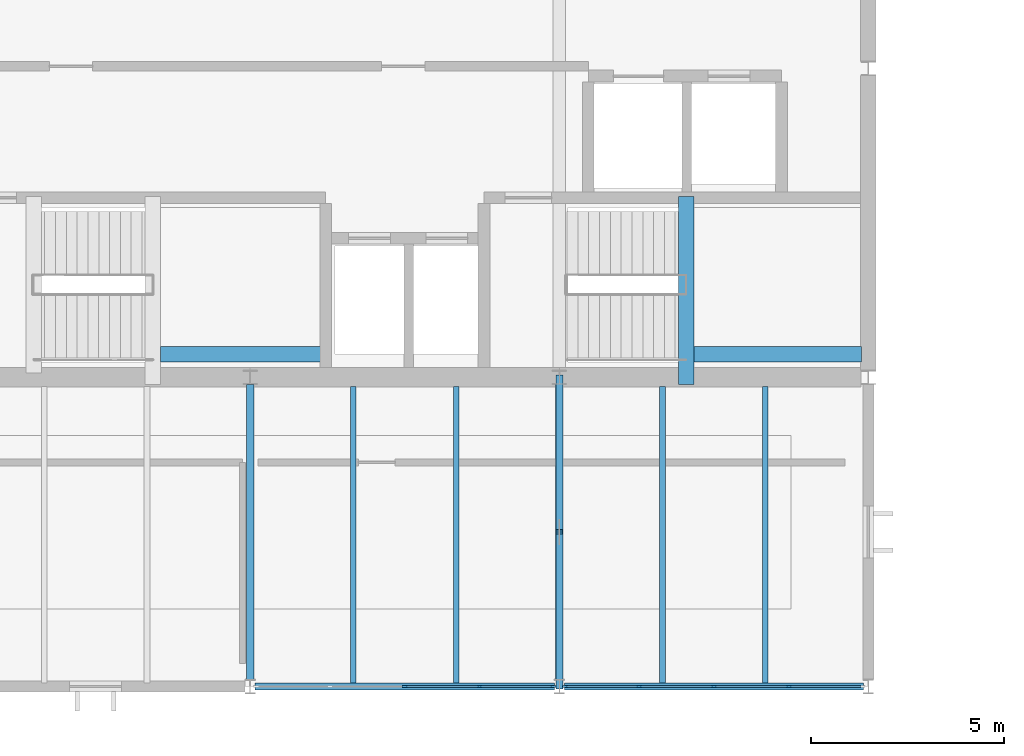
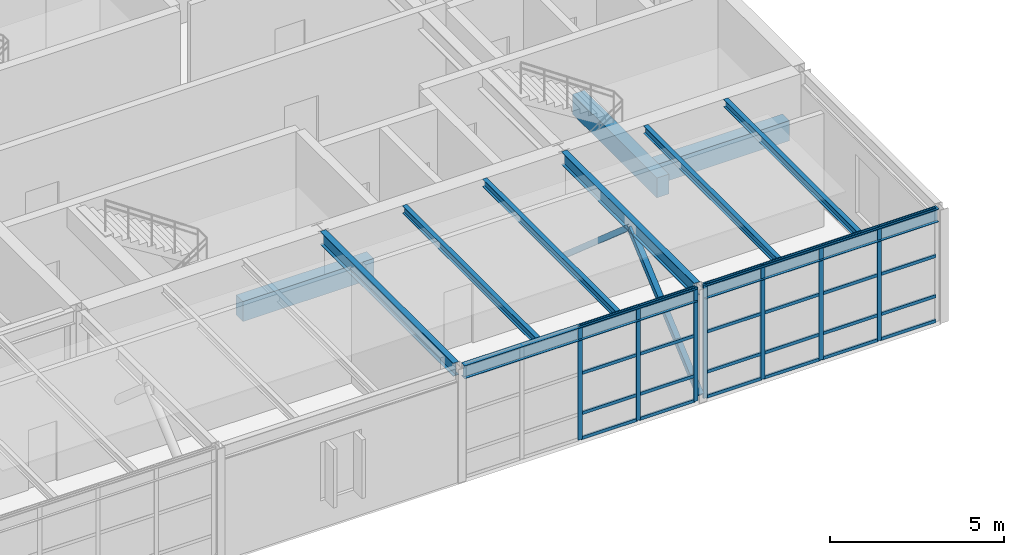
# One storey, part 4 of 20: 33 members, 11 beams, 2 elements without a shape of their own.
"""IFC4 building model written with IfcOpenShell, lengths in metres."""

import ifcopenshell
import ifcopenshell.guid

model = None  # the IFC model being written
_history = None  # IfcOwnerHistory: only IFC2X3 demands one
_inside = {}  # id of a spatial element -> (the spatial element, [elements in it])
_under = {}  # id of a project, library or spatial element -> (it, [spatial elements below it])
_declared = {}  # id of a project -> (the project, [libraries it declares])
_typed = {}  # id of a type object -> (the type object, [elements of that type])
_made_of = {}  # id of a material, layer set ... -> (it, [elements and type objects made of it])


def new_model(schema):
    """Start an empty IFC model of exactly this schema.

    Asked for "IFC4X3", IfcOpenShell would pick the latest addendum, in which some entities
    have other attributes; the version numbers below select the first issue.
    IFC2X3 requires an IfcOwnerHistory on every rooted entity: one is made here for all.
    """
    global model, _history
    if schema == "IFC4X3":
        model = ifcopenshell.file(schema_version=(4, 3, 0, 0))
    else:
        model = ifcopenshell.file(schema=schema)
    _inside.clear()
    _under.clear()
    _declared.clear()
    _typed.clear()
    _made_of.clear()
    _history = None
    if model.schema == "IFC2X3":
        org = make("IfcOrganization", Name="unknown")
        user = make(
            "IfcPersonAndOrganization",
            ThePerson=make("IfcPerson", FamilyName="unknown"),
            TheOrganization=org,
        )
        app = make(
            "IfcApplication",
            ApplicationDeveloper=org,
            Version="unknown",
            ApplicationFullName="unknown",
            ApplicationIdentifier="unknown",
        )
        _history = make(
            "IfcOwnerHistory",
            OwningUser=user,
            OwningApplication=app,
            ChangeAction="ADDED",
            CreationDate=0,
        )
    return model


def make(cls, **values):
    """One entity of the class cls with the attributes given. An attribute that is None is left unset."""
    return model.create_entity(
        cls, **{name: value for name, value in values.items() if value is not None}
    )


def rooted(cls, **values):
    """An entity with a GlobalId (a new one), such as an element, a storey or a relation."""
    return make(cls, GlobalId=ifcopenshell.guid.new(), OwnerHistory=_history, **values)


def si_unit(unit_type, name, prefix=None):
    """IfcSIUnit, for example si_unit("LENGTHUNIT", "METRE", prefix="MILLI")."""
    return make("IfcSIUnit", UnitType=unit_type, Prefix=prefix, Name=name)


def assignment(units):
    """IfcUnitAssignment: the units of a project."""
    return None if units is None else make("IfcUnitAssignment", Units=units)


def point(xyz):
    """IfcCartesianPoint."""
    return None if xyz is None else make("IfcCartesianPoint", Coordinates=xyz)


def direction(xyz):
    """IfcDirection."""
    return None if xyz is None else make("IfcDirection", DirectionRatios=xyz)


def frame(location, z_axis=None, x_axis=None):
    """IfcAxis2Placement3D, a coordinate frame: its origin and axes. An axis left out is left unset."""
    return make(
        "IfcAxis2Placement3D",
        Location=point(location),
        Axis=direction(z_axis),
        RefDirection=direction(x_axis),
    )


def frame_2d(location, x_axis=None):
    """IfcAxis2Placement2D, a coordinate frame in the plane: its origin and x axis."""
    return make(
        "IfcAxis2Placement2D", Location=point(location), RefDirection=direction(x_axis)
    )


def origin():
    """The frame at (0, 0, 0) with its axes left unset."""
    return frame((0.0, 0.0, 0.0))


def origin_2d():
    """The frame at (0, 0) in the plane with its x axis left unset."""
    return frame_2d((0.0, 0.0))


def place(relative_to, where):
    """IfcLocalPlacement: puts the frame where relative to a parent placement (None: the world)."""
    return make(
        "IfcLocalPlacement", PlacementRelTo=relative_to, RelativePlacement=where
    )


def context(
    kind, dimensions, precision=None, world=None, true_north=None, identifier=None
):
    """IfcGeometricRepresentationContext, for example the 3D "Model" context."""
    return make(
        "IfcGeometricRepresentationContext",
        ContextIdentifier=identifier,
        ContextType=kind,
        CoordinateSpaceDimension=dimensions,
        Precision=precision,
        WorldCoordinateSystem=world,
        TrueNorth=true_north,
    )


def subcontext(parent, identifier, kind, view, scale=None):
    """IfcGeometricRepresentationSubContext, for example "Body" below "Model"."""
    return make(
        "IfcGeometricRepresentationSubContext",
        ContextIdentifier=identifier,
        ContextType=kind,
        ParentContext=parent,
        TargetScale=scale,
        TargetView=view,
    )


def project(units=None, contexts=None):
    """IfcProject with its units and contexts."""
    return rooted(
        "IfcProject",
        Name="project",
        RepresentationContexts=contexts,
        UnitsInContext=assignment(units),
    )


def spatial(cls, under=None, at=None, **own):
    """A site, building, storey or space (cls), placed at a placement, below another one or the project."""
    s = rooted(cls, ObjectPlacement=at, **own)
    if under is not None:
        _under.setdefault(under.id(), (under, []))[1].append(s)
    return s


def profile(cls, at=None, kind="AREA", **sizes):
    """A parametric profile (cls). Its sizes go by their IFC names, for example OverallWidth=200.0."""
    return make(cls, ProfileType=kind, Position=at, **sizes)


def rectangle(**sizes):
    """IfcRectangleProfileDef."""
    return profile("IfcRectangleProfileDef", **sizes)


def hollow_rectangle(**sizes):
    """IfcRectangleHollowProfileDef."""
    return profile("IfcRectangleHollowProfileDef", **sizes)


def i_section(**sizes):
    """IfcIShapeProfileDef."""
    return profile("IfcIShapeProfileDef", **sizes)


def extrude(swept, where, along, depth):
    """IfcExtrudedAreaSolid: the profile swept, set in the frame where, extruded along a direction by depth."""
    return make(
        "IfcExtrudedAreaSolid",
        SweptArea=swept,
        Position=where,
        ExtrudedDirection=direction(along),
        Depth=depth,
    )


def shape(context_of_items, identifier, shape_type, items):
    """IfcShapeRepresentation: the items that make up one representation, for example the "Body"."""
    return make(
        "IfcShapeRepresentation",
        ContextOfItems=context_of_items,
        RepresentationIdentifier=identifier,
        RepresentationType=shape_type,
        Items=items,
    )


def material(Name=None, Category=None):
    """IfcMaterial."""
    return make("IfcMaterial", Name=Name, Category=Category)


def layer(
    of_material, thickness, ventilated=None, Name=None, Category=None, Priority=None
):
    """IfcMaterialLayer: one layer of a wall or slab, of a material (None: an air gap)."""
    return make(
        "IfcMaterialLayer",
        Material=of_material,
        LayerThickness=thickness,
        IsVentilated=ventilated,
        Name=Name,
        Category=Category,
        Priority=Priority,
    )


def layer_set(layers, Name=None):
    """IfcMaterialLayerSet."""
    return make("IfcMaterialLayerSet", MaterialLayers=layers, LayerSetName=Name)


def material_profile(
    of_material, cross_section, Name=None, Category=None, Priority=None
):
    """IfcMaterialProfile: a cross section and its material."""
    return make(
        "IfcMaterialProfile",
        Name=Name,
        Material=of_material,
        Profile=cross_section,
        Priority=Priority,
        Category=Category,
    )


def profile_set(profiles, Name=None, composite=None):
    """IfcMaterialProfileSet."""
    return make(
        "IfcMaterialProfileSet",
        Name=Name,
        MaterialProfiles=profiles,
        CompositeProfile=composite,
    )


def made_of(thing, what):
    """Note that an element or type object is made of a material, layer set ...; save() writes the relation."""
    if what is not None:
        _made_of.setdefault(what.id(), (what, []))[1].append(thing)
    return thing


def type_object(cls, material=None, **own):
    """A type object (cls), such as IfcWallType, which elements share."""
    return made_of(rooted(cls, **own), material)


def element(
    cls,
    number,
    at=None,
    inside=None,
    cuts=None,
    type_object=None,
    material=None,
    context=None,
    identifier="Body",
    shape_type=None,
    held_by="IfcProductDefinitionShape",
    body=None,
    shapes=None,
    **own,
):
    """One element of the class cls, such as IfcWall. Its Tag is "e" and its number.

    at: its placement. inside: the storey or other place that contains it. cuts: it is an
    opening in that element (IfcRelVoidsElement). A single representation is given by context,
    identifier, shape_type and body (its items); several are given by shapes. held_by: the class
    of the entity that holds the representations. save() writes the other relations.
    """
    e = rooted(cls, Tag="e%d" % number, ObjectPlacement=at, **own)
    if body is not None:
        shapes = [shape(context, identifier, shape_type, body)]
    if shapes is not None:
        e.Representation = make(held_by, Representations=shapes)
    if inside is not None:
        _inside.setdefault(inside.id(), (inside, []))[1].append(e)
    if cuts is not None:
        rooted(
            "IfcRelVoidsElement", RelatingBuildingElement=cuts, RelatedOpeningElement=e
        )
    if type_object is not None:
        _typed.setdefault(type_object.id(), (type_object, []))[1].append(e)
    return made_of(e, material)


def aggregate(whole, parts):
    """IfcRelAggregates: a whole, such as a stair, and the parts it consists of."""
    return rooted("IfcRelAggregates", RelatingObject=whole, RelatedObjects=parts)


def save(model, path):
    """Write the relations noted so far, then the file.

    IfcRelAggregates (storeys below a building ...), IfcRelContainedInSpatialStructure (elements
    in a storey), IfcRelDefinesByType, IfcRelAssociatesMaterial and IfcRelDeclares: one each for
    every whole, place, type object, material and project.
    """
    for whole, parts in _under.values():
        aggregate(whole, parts)
    for where, things in _inside.values():
        rooted(
            "IfcRelContainedInSpatialStructure",
            RelatedElements=things,
            RelatingStructure=where,
        )
    for kind, things in _typed.values():
        rooted("IfcRelDefinesByType", RelatedObjects=things, RelatingType=kind)
    for what, things in _made_of.values():
        rooted("IfcRelAssociatesMaterial", RelatedObjects=things, RelatingMaterial=what)
    for by, libraries in _declared.values():
        rooted("IfcRelDeclares", RelatingContext=by, RelatedDefinitions=libraries)
    model.write(path)


model = new_model("IFC4")

# Units and contexts
model_context = context("Model", 3, precision=1e-05, world=origin(), true_north=direction((0.0, 1.0)))
body_context = subcontext(model_context, "Body", "Model", "MODEL_VIEW")
ifc_project = project(units=[si_unit("LENGTHUNIT", "METRE"), si_unit("AREAUNIT", "SQUARE_METRE"), si_unit("VOLUMEUNIT", "CUBIC_METRE"), si_unit("PLANEANGLEUNIT", "RADIAN"), si_unit("MASSUNIT", "GRAM", prefix="KILO")], contexts=[model_context])

# Site, building, storey
site_placement = place(None, origin())
site = spatial("IfcSite", under=ifc_project, at=site_placement, CompositionType="ELEMENT")
building_placement = place(site_placement, origin())
building = spatial("IfcBuilding", under=site, at=building_placement, Name="Varnela Railside Interchange", CompositionType="ELEMENT")
storey_placement = place(building_placement, frame((0.0, 0.0, 28.0)))
storey = spatial("IfcBuildingStorey", under=building, at=storey_placement, Name="L06", CompositionType="ELEMENT", Elevation=28.0)

# Beams
ifc_material_1 = material(Name="Steel AR 350 (350 MPa)", Category="steel")
ifc_material_profile_1 = material_profile(ifc_material_1, i_section(OverallWidth=0.14794921875, OverallDepth=0.26611328125, WebThickness=0.007568359375, FlangeThickness=0.012939453125, at=origin_2d()), Name="W250x44.8")
ifc_profile_set_1 = profile_set([ifc_material_profile_1], Name="Steel AR 350 (350 MPa)")
beam_type_1 = type_object("IfcBeamType", Name="Composite Floor Joist J-05", PredefinedType="JOIST", material=ifc_profile_set_1)
for number, where, z_axis, x_axis, name in (
    (1, (22.669921875, 46.095947265625, 3.846923828125), (0.0, 1.0, 0.0), (-1.0, 0.0, 0.0), "Composite Floor Joist J-05 (L06) (BM-2662)"),
    (2, (25.330078125, 46.095947265625, 3.846923828125), (0.0, 1.0, 0.0), (-1.0, 0.0, 0.0), "Composite Floor Joist J-05 (L06) (BM-2663)"),
    (3, (30.669921875, 46.095947265625, 3.846923828125), (0.0, 1.0, 0.0), (-1.0, 0.0, 0.0), "Composite Floor Joist J-05 (L06) (BM-2670)"),
    (4, (33.330078125, 46.095947265625, 3.846923828125), (0.0, 1.0, 0.0), (-1.0, 0.0, 0.0), "Composite Floor Joist J-05 (L06) (BM-2671)"),
):
    element("IfcBeam", number, at=place(storey_placement, frame(where, z_axis=z_axis, x_axis=x_axis)), inside=storey, type_object=beam_type_1, Name=name, PredefinedType="JOIST", context=body_context, shape_type="SweptSolid", body=[
        extrude(i_section(OverallWidth=0.14794921875, OverallDepth=0.26611328125, WebThickness=0.007568359375, FlangeThickness=0.012939453125, at=origin_2d()), origin(), (0.0, 0.0, 1.0), 7.6640625),
    ])
ifc_material_2 = material(Name="Concrete C40", Category="concrete")
ifc_material_profile_2 = material_profile(ifc_material_2, rectangle(XDim=0.39990234375, YDim=0.699951171875, at=origin_2d()), Name="RC 400x700")
ifc_profile_set_2 = profile_set([ifc_material_profile_2], Name="Concrete C40")
beam_type_2 = type_object("IfcBeamType", Name="Concrete Tie Beam B-01", PredefinedType="BEAM", material=ifc_profile_set_2)
beam_1_placement = place(storey_placement, frame((17.679931640625, 54.60009765625, 1.590087890625), z_axis=(1.0, 0.0, 0.0), x_axis=(0.0, 1.0, 0.0)))
element("IfcBeam", 5, at=beam_1_placement, inside=storey, type_object=beam_type_2, Name="Concrete Tie Beam B-01 (L06) (BM-2718)", PredefinedType="BEAM", context=body_context, shape_type="SweptSolid", body=[
    extrude(rectangle(XDim=0.39990234375, YDim=0.699951171875, at=origin_2d()), origin(), (0.0, 0.0, 1.0), 4.340087890625),
])
beam_2_placement = place(storey_placement, frame((31.280029296875, 53.820068359375, 1.590087890625), z_axis=(0.0, 1.0, 0.0), x_axis=(-1.0, 0.0, 0.0)))
element("IfcBeam", 6, at=beam_2_placement, inside=storey, type_object=beam_type_2, Name="Concrete Tie Beam B-01 (L06) (BM-2722)", PredefinedType="BEAM", context=body_context, shape_type="SweptSolid", body=[
    extrude(rectangle(XDim=0.39990234375, YDim=0.699951171875, at=origin_2d()), origin(), (0.0, 0.0, 1.0), 4.85986328125),
])
beam_3_placement = place(storey_placement, frame((31.47998046875, 54.60009765625, 1.590087890625), z_axis=(1.0, 0.0, 0.0), x_axis=(0.0, 1.0, 0.0)))
element("IfcBeam", 7, at=beam_3_placement, inside=storey, type_object=beam_type_2, Name="Concrete Tie Beam B-01 (L06) (BM-2719)", PredefinedType="BEAM", context=body_context, shape_type="SweptSolid", body=[
    extrude(rectangle(XDim=0.39990234375, YDim=0.699951171875, at=origin_2d()), origin(), (0.0, 0.0, 1.0), 4.340087890625),
])

# Members
ifc_material_profile_3 = material_profile(ifc_material_1, hollow_rectangle(XDim=0.179931640625, YDim=0.179931640625, WallThickness=0.010009765625, at=origin_2d()), Name="HSS 180x180x10")
ifc_profile_set_3 = profile_set([ifc_material_profile_3], Name="Steel AR 350 (350 MPa)")
member_type_1 = type_object("IfcMemberType", Name="Crown Chevron Brace BR-07", PredefinedType="BRACE", material=ifc_profile_set_3)
for number, where, z_axis, x_axis, name in (
    (8, (28.0, 46.0, 0.14990234375), (0.0, 0.754444902764, 0.656363381591), (-1.0, 0.0, 0.0), "Crown Chevron Brace BR-07 (L06) (MB-0186)"),
    (9, (28.0, 54.0, 0.14990234375), (0.0, -0.754444902764, 0.656363381591), (1.0, 0.0, 0.0), "Crown Chevron Brace BR-07 (L06) (MB-0187)"),
):
    element("IfcMember", number, at=place(storey_placement, frame(where, z_axis=z_axis, x_axis=x_axis)), inside=storey, type_object=member_type_1, Name=name, PredefinedType="BRACE", context=body_context, shape_type="SweptSolid", body=[
        extrude(hollow_rectangle(XDim=0.179931640625, YDim=0.179931640625, WallThickness=0.010009765625, at=origin_2d()), origin(), (0.0, 0.0, 1.0), 5.302001953125),
    ])

# Curtain wall, members
ifc_material_3 = material(Name="Aluminium 6063-T6", Category="aluminium")
ifc_layer = layer(ifc_material_3, 0.035888671875)
ifc_layer_set = layer_set([ifc_layer], Name="Aluminium 6063-T6")
curtain_wall_type = type_object("IfcCurtainWallType", Name="Operations Wing Facade Curtain Wall CW-03", PredefinedType="USERDEFINED", material=ifc_layer_set)
curtain_wall_1_placement = place(storey_placement, origin())
curtain_wall_1 = element("IfcCurtainWall", 10, at=curtain_wall_1_placement, inside=storey, type_object=curtain_wall_type, Name="Curtain Wall CW-03 (L06) (CW-137)", ObjectType="CURTAIN WALL", PredefinedType="USERDEFINED")
ifc_material_profile_4 = material_profile(ifc_material_3, rectangle(XDim=0.06005859375, YDim=0.139892578125, at=origin_2d()), Name="ALU 60x140")
ifc_profile_set_4 = profile_set([ifc_material_profile_4], Name="Aluminium 6063-T6")
member_type_2 = type_object("IfcMemberType", Name="Curtain Wall Mullion ML-01", PredefinedType="MULLION", material=ifc_profile_set_4)
member_1_placement = place(storey_placement, frame((33.935791015625, 46.0, 0.0), z_axis=(0.0, 0.0, 1.0), x_axis=(0.0, -1.0, 0.0)))
member_1 = element("IfcMember", 11, at=member_1_placement, type_object=member_type_2, Name="CW-03 mullion 2", PredefinedType="MULLION", context=body_context, shape_type="SweptSolid", body=[
    extrude(rectangle(XDim=0.06005859375, YDim=0.139892578125, at=origin_2d()), origin(), (0.0, 0.0, 1.0), 3.97998046875),
])
member_2_placement = place(storey_placement, frame((32.0, 46.0, 0.0), z_axis=(0.0, 0.0, 1.0), x_axis=(0.0, -1.0, 0.0)))
member_2 = element("IfcMember", 12, at=member_2_placement, type_object=member_type_2, Name="CW-03 mullion 3", PredefinedType="MULLION", context=body_context, shape_type="SweptSolid", body=[
    extrude(rectangle(XDim=0.06005859375, YDim=0.139892578125, at=origin_2d()), origin(), (0.0, 0.0, 1.0), 3.97998046875),
])
member_3_placement = place(storey_placement, frame((30.064208984375, 46.0, 0.0), z_axis=(0.0, 0.0, 1.0), x_axis=(0.0, -1.0, 0.0)))
member_3 = element("IfcMember", 13, at=member_3_placement, type_object=member_type_2, Name="CW-03 mullion 4", PredefinedType="MULLION", context=body_context, shape_type="SweptSolid", body=[
    extrude(rectangle(XDim=0.06005859375, YDim=0.139892578125, at=origin_2d()), origin(), (0.0, 0.0, 1.0), 3.97998046875),
])
member_4_placement = place(storey_placement, frame((28.158447265625, 46.0, 0.0), z_axis=(0.0, 0.0, 1.0), x_axis=(0.0, -1.0, 0.0)))
member_4 = element("IfcMember", 14, at=member_4_placement, type_object=member_type_2, Name="CW-03 mullion 5", PredefinedType="MULLION", context=body_context, shape_type="SweptSolid", body=[
    extrude(rectangle(XDim=0.06005859375, YDim=0.139892578125, at=origin_2d()), origin(), (0.0, 0.0, 1.0), 3.97998046875),
])

curtain_wall_2_placement = place(storey_placement, origin())
curtain_wall_2 = element("IfcCurtainWall", 15, at=curtain_wall_2_placement, inside=storey, type_object=curtain_wall_type, Name="Curtain Wall CW-03 (L06) (CW-144)", ObjectType="CURTAIN WALL", PredefinedType="USERDEFINED")
member_5_placement = place(storey_placement, frame((27.841552734375, 46.0, 0.0), z_axis=(0.0, 0.0, 1.0), x_axis=(0.0, -1.0, 0.0)))
member_5 = element("IfcMember", 16, at=member_5_placement, type_object=member_type_2, Name="CW-03 mullion 1", PredefinedType="MULLION", context=body_context, shape_type="SweptSolid", body=[
    extrude(rectangle(XDim=0.06005859375, YDim=0.139892578125, at=origin_2d()), origin(), (0.0, 0.0, 1.0), 3.97998046875),
])
member_6_placement = place(storey_placement, frame((25.935791015625, 46.0, 0.0), z_axis=(0.0, 0.0, 1.0), x_axis=(0.0, -1.0, 0.0)))
member_6 = element("IfcMember", 17, at=member_6_placement, type_object=member_type_2, Name="CW-03 mullion 2", PredefinedType="MULLION", context=body_context, shape_type="SweptSolid", body=[
    extrude(rectangle(XDim=0.06005859375, YDim=0.139892578125, at=origin_2d()), origin(), (0.0, 0.0, 1.0), 3.97998046875),
])
member_7_placement = place(storey_placement, frame((24.0, 46.0, 0.0), z_axis=(0.0, 0.0, 1.0), x_axis=(0.0, -1.0, 0.0)))
member_7 = element("IfcMember", 18, at=member_7_placement, type_object=member_type_2, Name="CW-03 mullion 3", PredefinedType="MULLION", context=body_context, shape_type="SweptSolid", body=[
    extrude(rectangle(XDim=0.06005859375, YDim=0.139892578125, at=origin_2d()), origin(), (0.0, 0.0, 1.0), 3.97998046875),
])

# Member
ifc_material_profile_5 = material_profile(ifc_material_3, rectangle(XDim=0.06005859375, YDim=0.110107421875, at=origin_2d()), Name="ALU 60x110")
ifc_profile_set_5 = profile_set([ifc_material_profile_5], Name="Aluminium 6063-T6")
member_type_3 = type_object("IfcMemberType", Name="Curtain Wall Transom TR-01", PredefinedType="USERDEFINED", material=ifc_profile_set_5)
member_8_placement = place(storey_placement, frame((35.8115234375, 46.0, 0.030029296875), z_axis=(-1.0, 0.0, 0.0), x_axis=(0.0, -1.0, 0.0)))
member_8 = element("IfcMember", 19, at=member_8_placement, type_object=member_type_3, Name="CW-03 transom 1.1", ObjectType="TRANSOM", PredefinedType="USERDEFINED", context=body_context, shape_type="SweptSolid", body=[
    extrude(rectangle(XDim=0.06005859375, YDim=0.110107421875, at=origin_2d()), origin(), (0.0, 0.0, 1.0), 1.845703125),
])

member_9_placement = place(storey_placement, frame((35.8115234375, 46.0, 0.89990234375), z_axis=(-1.0, 0.0, 0.0), x_axis=(0.0, -1.0, 0.0)))
member_9 = element("IfcMember", 20, at=member_9_placement, type_object=member_type_3, Name="CW-03 transom 1.2", ObjectType="TRANSOM", PredefinedType="USERDEFINED", context=body_context, shape_type="SweptSolid", body=[
    extrude(rectangle(XDim=0.06005859375, YDim=0.110107421875, at=origin_2d()), origin(), (0.0, 0.0, 1.0), 1.845703125),
])

member_10_placement = place(storey_placement, frame((35.8115234375, 46.0, 2.308349609375), z_axis=(-1.0, 0.0, 0.0), x_axis=(0.0, -1.0, 0.0)))
member_10 = element("IfcMember", 21, at=member_10_placement, type_object=member_type_3, Name="CW-03 transom 1.3", ObjectType="TRANSOM", PredefinedType="USERDEFINED", context=body_context, shape_type="SweptSolid", body=[
    extrude(rectangle(XDim=0.06005859375, YDim=0.110107421875, at=origin_2d()), origin(), (0.0, 0.0, 1.0), 1.845703125),
])

member_11_placement = place(storey_placement, frame((35.8115234375, 46.0, 3.949951171875), z_axis=(-1.0, 0.0, 0.0), x_axis=(0.0, -1.0, 0.0)))
member_11 = element("IfcMember", 22, at=member_11_placement, type_object=member_type_3, Name="CW-03 transom 1.4", ObjectType="TRANSOM", PredefinedType="USERDEFINED", context=body_context, shape_type="SweptSolid", body=[
    extrude(rectangle(XDim=0.06005859375, YDim=0.110107421875, at=origin_2d()), origin(), (0.0, 0.0, 1.0), 1.845703125),
])

member_12_placement = place(storey_placement, frame((33.90576171875, 46.0, 0.030029296875), z_axis=(-1.0, 0.0, 0.0), x_axis=(0.0, -1.0, 0.0)))
member_12 = element("IfcMember", 23, at=member_12_placement, type_object=member_type_3, Name="CW-03 transom 2.1", ObjectType="TRANSOM", PredefinedType="USERDEFINED", context=body_context, shape_type="SweptSolid", body=[
    extrude(rectangle(XDim=0.06005859375, YDim=0.110107421875, at=origin_2d()), origin(), (0.0, 0.0, 1.0), 1.875732421875),
])

member_13_placement = place(storey_placement, frame((33.90576171875, 46.0, 0.89990234375), z_axis=(-1.0, 0.0, 0.0), x_axis=(0.0, -1.0, 0.0)))
member_13 = element("IfcMember", 24, at=member_13_placement, type_object=member_type_3, Name="CW-03 transom 2.2", ObjectType="TRANSOM", PredefinedType="USERDEFINED", context=body_context, shape_type="SweptSolid", body=[
    extrude(rectangle(XDim=0.06005859375, YDim=0.110107421875, at=origin_2d()), origin(), (0.0, 0.0, 1.0), 1.875732421875),
])

member_14_placement = place(storey_placement, frame((33.90576171875, 46.0, 2.308349609375), z_axis=(-1.0, 0.0, 0.0), x_axis=(0.0, -1.0, 0.0)))
member_14 = element("IfcMember", 25, at=member_14_placement, type_object=member_type_3, Name="CW-03 transom 2.3", ObjectType="TRANSOM", PredefinedType="USERDEFINED", context=body_context, shape_type="SweptSolid", body=[
    extrude(rectangle(XDim=0.06005859375, YDim=0.110107421875, at=origin_2d()), origin(), (0.0, 0.0, 1.0), 1.875732421875),
])

member_15_placement = place(storey_placement, frame((33.90576171875, 46.0, 3.949951171875), z_axis=(-1.0, 0.0, 0.0), x_axis=(0.0, -1.0, 0.0)))
member_15 = element("IfcMember", 26, at=member_15_placement, type_object=member_type_3, Name="CW-03 transom 2.4", ObjectType="TRANSOM", PredefinedType="USERDEFINED", context=body_context, shape_type="SweptSolid", body=[
    extrude(rectangle(XDim=0.06005859375, YDim=0.110107421875, at=origin_2d()), origin(), (0.0, 0.0, 1.0), 1.875732421875),
])

member_16_placement = place(storey_placement, frame((31.969970703125, 46.0, 0.030029296875), z_axis=(-1.0, 0.0, 0.0), x_axis=(0.0, -1.0, 0.0)))
member_16 = element("IfcMember", 27, at=member_16_placement, type_object=member_type_3, Name="CW-03 transom 3.1", ObjectType="TRANSOM", PredefinedType="USERDEFINED", context=body_context, shape_type="SweptSolid", body=[
    extrude(rectangle(XDim=0.06005859375, YDim=0.110107421875, at=origin_2d()), origin(), (0.0, 0.0, 1.0), 1.875732421875),
])

member_17_placement = place(storey_placement, frame((31.969970703125, 46.0, 0.89990234375), z_axis=(-1.0, 0.0, 0.0), x_axis=(0.0, -1.0, 0.0)))
member_17 = element("IfcMember", 28, at=member_17_placement, type_object=member_type_3, Name="CW-03 transom 3.2", ObjectType="TRANSOM", PredefinedType="USERDEFINED", context=body_context, shape_type="SweptSolid", body=[
    extrude(rectangle(XDim=0.06005859375, YDim=0.110107421875, at=origin_2d()), origin(), (0.0, 0.0, 1.0), 1.875732421875),
])

member_18_placement = place(storey_placement, frame((31.969970703125, 46.0, 2.308349609375), z_axis=(-1.0, 0.0, 0.0), x_axis=(0.0, -1.0, 0.0)))
member_18 = element("IfcMember", 29, at=member_18_placement, type_object=member_type_3, Name="CW-03 transom 3.3", ObjectType="TRANSOM", PredefinedType="USERDEFINED", context=body_context, shape_type="SweptSolid", body=[
    extrude(rectangle(XDim=0.06005859375, YDim=0.110107421875, at=origin_2d()), origin(), (0.0, 0.0, 1.0), 1.875732421875),
])

member_19_placement = place(storey_placement, frame((31.969970703125, 46.0, 3.949951171875), z_axis=(-1.0, 0.0, 0.0), x_axis=(0.0, -1.0, 0.0)))
member_19 = element("IfcMember", 30, at=member_19_placement, type_object=member_type_3, Name="CW-03 transom 3.4", ObjectType="TRANSOM", PredefinedType="USERDEFINED", context=body_context, shape_type="SweptSolid", body=[
    extrude(rectangle(XDim=0.06005859375, YDim=0.110107421875, at=origin_2d()), origin(), (0.0, 0.0, 1.0), 1.875732421875),
])

member_20_placement = place(storey_placement, frame((30.0341796875, 46.0, 0.030029296875), z_axis=(-1.0, 0.0, 0.0), x_axis=(0.0, -1.0, 0.0)))
member_20 = element("IfcMember", 31, at=member_20_placement, type_object=member_type_3, Name="CW-03 transom 4.1", ObjectType="TRANSOM", PredefinedType="USERDEFINED", context=body_context, shape_type="SweptSolid", body=[
    extrude(rectangle(XDim=0.06005859375, YDim=0.110107421875, at=origin_2d()), origin(), (0.0, 0.0, 1.0), 1.845703125),
])

member_21_placement = place(storey_placement, frame((30.0341796875, 46.0, 0.89990234375), z_axis=(-1.0, 0.0, 0.0), x_axis=(0.0, -1.0, 0.0)))
member_21 = element("IfcMember", 32, at=member_21_placement, type_object=member_type_3, Name="CW-03 transom 4.2", ObjectType="TRANSOM", PredefinedType="USERDEFINED", context=body_context, shape_type="SweptSolid", body=[
    extrude(rectangle(XDim=0.06005859375, YDim=0.110107421875, at=origin_2d()), origin(), (0.0, 0.0, 1.0), 1.845703125),
])

member_22_placement = place(storey_placement, frame((30.0341796875, 46.0, 2.308349609375), z_axis=(-1.0, 0.0, 0.0), x_axis=(0.0, -1.0, 0.0)))
member_22 = element("IfcMember", 33, at=member_22_placement, type_object=member_type_3, Name="CW-03 transom 4.3", ObjectType="TRANSOM", PredefinedType="USERDEFINED", context=body_context, shape_type="SweptSolid", body=[
    extrude(rectangle(XDim=0.06005859375, YDim=0.110107421875, at=origin_2d()), origin(), (0.0, 0.0, 1.0), 1.845703125),
])

member_23_placement = place(storey_placement, frame((30.0341796875, 46.0, 3.949951171875), z_axis=(-1.0, 0.0, 0.0), x_axis=(0.0, -1.0, 0.0)))
member_23 = element("IfcMember", 34, at=member_23_placement, type_object=member_type_3, Name="CW-03 transom 4.4", ObjectType="TRANSOM", PredefinedType="USERDEFINED", context=body_context, shape_type="SweptSolid", body=[
    extrude(rectangle(XDim=0.06005859375, YDim=0.110107421875, at=origin_2d()), origin(), (0.0, 0.0, 1.0), 1.845703125),
])

aggregate(curtain_wall_1, [member_1, member_2, member_3, member_4, member_8, member_9, member_10, member_11, member_12, member_13, member_14, member_15, member_16, member_17, member_18, member_19, member_20, member_21, member_22, member_23])

member_24_placement = place(storey_placement, frame((27.8115234375, 46.0, 0.030029296875), z_axis=(-1.0, 0.0, 0.0), x_axis=(0.0, -1.0, 0.0)))
member_24 = element("IfcMember", 35, at=member_24_placement, type_object=member_type_3, Name="CW-03 transom 1.1", ObjectType="TRANSOM", PredefinedType="USERDEFINED", context=body_context, shape_type="SweptSolid", body=[
    extrude(rectangle(XDim=0.06005859375, YDim=0.110107421875, at=origin_2d()), origin(), (0.0, 0.0, 1.0), 1.845703125),
])

member_25_placement = place(storey_placement, frame((27.8115234375, 46.0, 0.89990234375), z_axis=(-1.0, 0.0, 0.0), x_axis=(0.0, -1.0, 0.0)))
member_25 = element("IfcMember", 36, at=member_25_placement, type_object=member_type_3, Name="CW-03 transom 1.2", ObjectType="TRANSOM", PredefinedType="USERDEFINED", context=body_context, shape_type="SweptSolid", body=[
    extrude(rectangle(XDim=0.06005859375, YDim=0.110107421875, at=origin_2d()), origin(), (0.0, 0.0, 1.0), 1.845703125),
])

member_26_placement = place(storey_placement, frame((27.8115234375, 46.0, 2.308349609375), z_axis=(-1.0, 0.0, 0.0), x_axis=(0.0, -1.0, 0.0)))
member_26 = element("IfcMember", 37, at=member_26_placement, type_object=member_type_3, Name="CW-03 transom 1.3", ObjectType="TRANSOM", PredefinedType="USERDEFINED", context=body_context, shape_type="SweptSolid", body=[
    extrude(rectangle(XDim=0.06005859375, YDim=0.110107421875, at=origin_2d()), origin(), (0.0, 0.0, 1.0), 1.845703125),
])

member_27_placement = place(storey_placement, frame((27.8115234375, 46.0, 3.949951171875), z_axis=(-1.0, 0.0, 0.0), x_axis=(0.0, -1.0, 0.0)))
member_27 = element("IfcMember", 38, at=member_27_placement, type_object=member_type_3, Name="CW-03 transom 1.4", ObjectType="TRANSOM", PredefinedType="USERDEFINED", context=body_context, shape_type="SweptSolid", body=[
    extrude(rectangle(XDim=0.06005859375, YDim=0.110107421875, at=origin_2d()), origin(), (0.0, 0.0, 1.0), 1.845703125),
])

member_28_placement = place(storey_placement, frame((25.90576171875, 46.0, 0.030029296875), z_axis=(-1.0, 0.0, 0.0), x_axis=(0.0, -1.0, 0.0)))
member_28 = element("IfcMember", 39, at=member_28_placement, type_object=member_type_3, Name="CW-03 transom 2.1", ObjectType="TRANSOM", PredefinedType="USERDEFINED", context=body_context, shape_type="SweptSolid", body=[
    extrude(rectangle(XDim=0.06005859375, YDim=0.110107421875, at=origin_2d()), origin(), (0.0, 0.0, 1.0), 1.875732421875),
])

member_29_placement = place(storey_placement, frame((25.90576171875, 46.0, 0.89990234375), z_axis=(-1.0, 0.0, 0.0), x_axis=(0.0, -1.0, 0.0)))
member_29 = element("IfcMember", 40, at=member_29_placement, type_object=member_type_3, Name="CW-03 transom 2.2", ObjectType="TRANSOM", PredefinedType="USERDEFINED", context=body_context, shape_type="SweptSolid", body=[
    extrude(rectangle(XDim=0.06005859375, YDim=0.110107421875, at=origin_2d()), origin(), (0.0, 0.0, 1.0), 1.875732421875),
])

member_30_placement = place(storey_placement, frame((25.90576171875, 46.0, 2.308349609375), z_axis=(-1.0, 0.0, 0.0), x_axis=(0.0, -1.0, 0.0)))
member_30 = element("IfcMember", 41, at=member_30_placement, type_object=member_type_3, Name="CW-03 transom 2.3", ObjectType="TRANSOM", PredefinedType="USERDEFINED", context=body_context, shape_type="SweptSolid", body=[
    extrude(rectangle(XDim=0.06005859375, YDim=0.110107421875, at=origin_2d()), origin(), (0.0, 0.0, 1.0), 1.875732421875),
])

member_31_placement = place(storey_placement, frame((25.90576171875, 46.0, 3.949951171875), z_axis=(-1.0, 0.0, 0.0), x_axis=(0.0, -1.0, 0.0)))
member_31 = element("IfcMember", 42, at=member_31_placement, type_object=member_type_3, Name="CW-03 transom 2.4", ObjectType="TRANSOM", PredefinedType="USERDEFINED", context=body_context, shape_type="SweptSolid", body=[
    extrude(rectangle(XDim=0.06005859375, YDim=0.110107421875, at=origin_2d()), origin(), (0.0, 0.0, 1.0), 1.875732421875),
])

aggregate(curtain_wall_2, [member_5, member_6, member_7, member_24, member_25, member_26, member_27, member_28, member_29, member_30, member_31])

# Beams
ifc_material_profile_6 = material_profile(ifc_material_1, i_section(OverallWidth=0.19091796875, OverallDepth=0.4599609375, WebThickness=0.010009765625, FlangeThickness=0.01611328125, at=origin_2d()), Name="W460x82")
ifc_profile_set_6 = profile_set([ifc_material_profile_6], Name="Steel AR 350 (350 MPa)")
beam_type_3 = type_object("IfcBeamType", Name="Steel Perimeter Spandrel SP-01", PredefinedType="SPANDREL", material=ifc_profile_set_6)
for number, where, z_axis, x_axis, name in (
    (43, (20.12841796875, 46.0, 3.75), (1.0, 0.0, 0.0), (0.0, 1.0, 0.0), "Steel Perimeter Spandrel SP-01 (L06) (BM-2677)"),
    (44, (28.12841796875, 46.0, 3.75), (1.0, 0.0, 0.0), (0.0, 1.0, 0.0), "Steel Perimeter Spandrel SP-01 (L06) (BM-2678)"),
):
    element("IfcBeam", number, at=place(storey_placement, frame(where, z_axis=z_axis, x_axis=x_axis)), inside=storey, type_object=beam_type_3, Name=name, PredefinedType="SPANDREL", context=body_context, shape_type="SweptSolid", body=[
        extrude(i_section(OverallWidth=0.19091796875, OverallDepth=0.4599609375, WebThickness=0.010009765625, FlangeThickness=0.01611328125, at=origin_2d()), origin(), (0.0, 0.0, 1.0), 7.7431640625),
    ])
for number, where, z_axis, x_axis, name in (
    (45, (20.0, 46.181396484375, 3.75), (0.0, 1.0, 0.0), (-1.0, 0.0, 0.0), "Steel Perimeter Spandrel SP-01 (L06) (BM-2705)"),
    (46, (28.0, 46.181396484375, 3.75), (0.0, 1.0, 0.0), (-1.0, 0.0, 0.0), "Steel Perimeter Spandrel SP-01 (L06) (BM-2709)"),
):
    element("IfcBeam", number, at=place(storey_placement, frame(where, z_axis=z_axis, x_axis=x_axis)), inside=storey, type_object=beam_type_3, Name=name, PredefinedType="SPANDREL", context=body_context, shape_type="SweptSolid", body=[
        extrude(i_section(OverallWidth=0.19091796875, OverallDepth=0.4599609375, WebThickness=0.010009765625, FlangeThickness=0.01611328125, at=origin_2d()), origin(), (0.0, 0.0, 1.0), 7.638671875),
    ])

save(model, "model.ifc")
